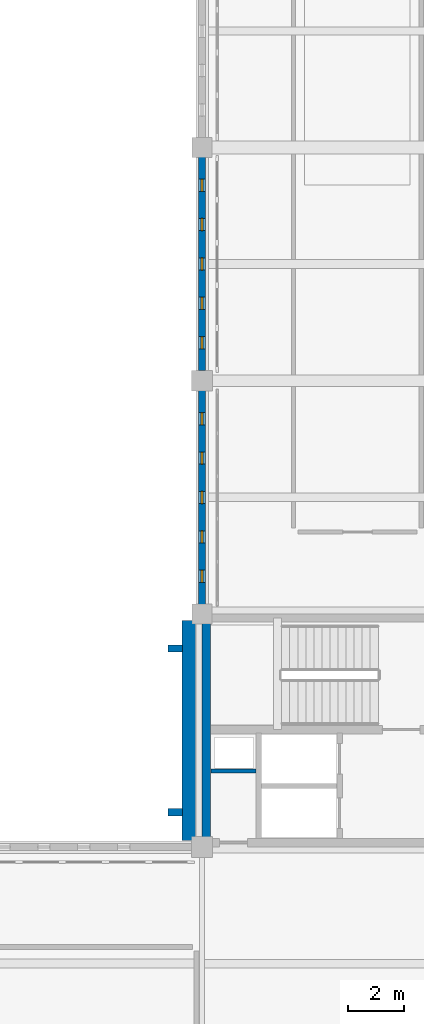
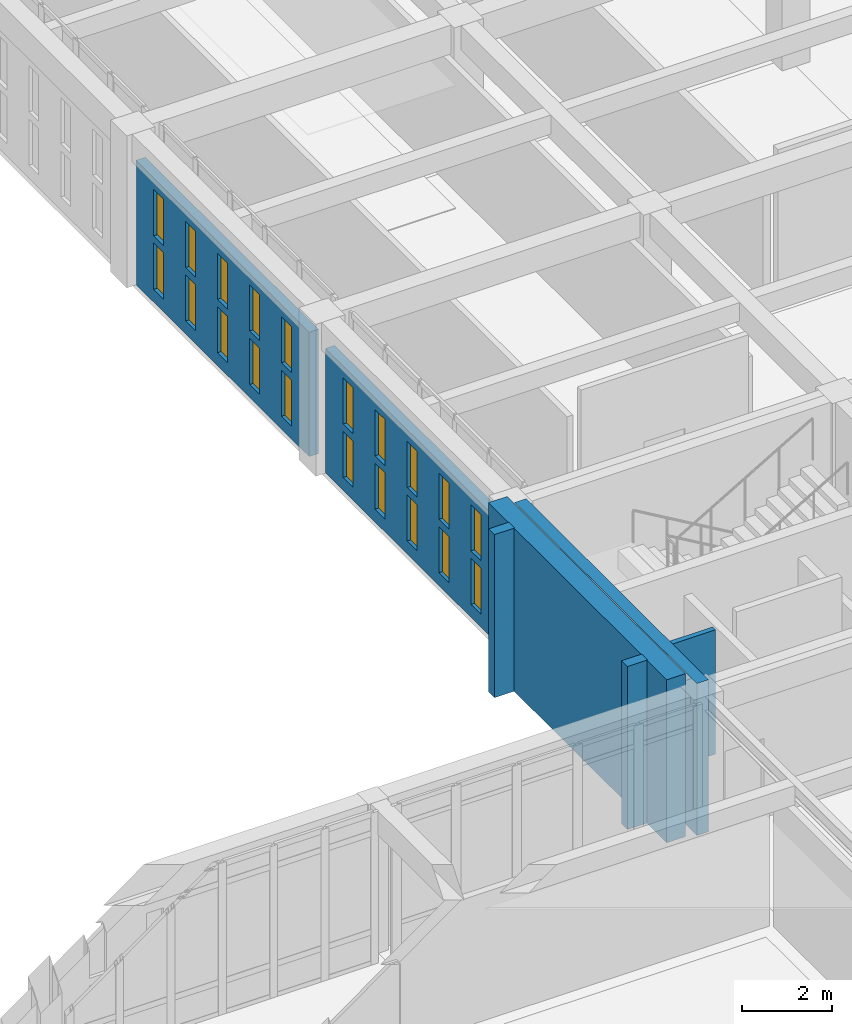
# One storey, part 163 of 192: 20 windows, 7 walls, 20 openings.
"""IFC4 building model written with IfcOpenShell, lengths in metres."""

import ifcopenshell
import ifcopenshell.guid

model = None  # the IFC model being written
_history = None  # IfcOwnerHistory: only IFC2X3 demands one
_inside = {}  # id of a spatial element -> (the spatial element, [elements in it])
_under = {}  # id of a project, library or spatial element -> (it, [spatial elements below it])
_declared = {}  # id of a project -> (the project, [libraries it declares])
_typed = {}  # id of a type object -> (the type object, [elements of that type])
_made_of = {}  # id of a material, layer set ... -> (it, [elements and type objects made of it])


def new_model(schema):
    """Start an empty IFC model of exactly this schema.

    Asked for "IFC4X3", IfcOpenShell would pick the latest addendum, in which some entities
    have other attributes; the version numbers below select the first issue.
    IFC2X3 requires an IfcOwnerHistory on every rooted entity: one is made here for all.
    """
    global model, _history
    if schema == "IFC4X3":
        model = ifcopenshell.file(schema_version=(4, 3, 0, 0))
    else:
        model = ifcopenshell.file(schema=schema)
    _inside.clear()
    _under.clear()
    _declared.clear()
    _typed.clear()
    _made_of.clear()
    _history = None
    if model.schema == "IFC2X3":
        org = make("IfcOrganization", Name="unknown")
        user = make(
            "IfcPersonAndOrganization",
            ThePerson=make("IfcPerson", FamilyName="unknown"),
            TheOrganization=org,
        )
        app = make(
            "IfcApplication",
            ApplicationDeveloper=org,
            Version="unknown",
            ApplicationFullName="unknown",
            ApplicationIdentifier="unknown",
        )
        _history = make(
            "IfcOwnerHistory",
            OwningUser=user,
            OwningApplication=app,
            ChangeAction="ADDED",
            CreationDate=0,
        )
    return model


def make(cls, **values):
    """One entity of the class cls with the attributes given. An attribute that is None is left unset."""
    return model.create_entity(
        cls, **{name: value for name, value in values.items() if value is not None}
    )


def rooted(cls, **values):
    """An entity with a GlobalId (a new one), such as an element, a storey or a relation."""
    return make(cls, GlobalId=ifcopenshell.guid.new(), OwnerHistory=_history, **values)


def si_unit(unit_type, name, prefix=None):
    """IfcSIUnit, for example si_unit("LENGTHUNIT", "METRE", prefix="MILLI")."""
    return make("IfcSIUnit", UnitType=unit_type, Prefix=prefix, Name=name)


def assignment(units):
    """IfcUnitAssignment: the units of a project."""
    return None if units is None else make("IfcUnitAssignment", Units=units)


def point(xyz):
    """IfcCartesianPoint."""
    return None if xyz is None else make("IfcCartesianPoint", Coordinates=xyz)


def direction(xyz):
    """IfcDirection."""
    return None if xyz is None else make("IfcDirection", DirectionRatios=xyz)


def frame(location, z_axis=None, x_axis=None):
    """IfcAxis2Placement3D, a coordinate frame: its origin and axes. An axis left out is left unset."""
    return make(
        "IfcAxis2Placement3D",
        Location=point(location),
        Axis=direction(z_axis),
        RefDirection=direction(x_axis),
    )


def frame_2d(location, x_axis=None):
    """IfcAxis2Placement2D, a coordinate frame in the plane: its origin and x axis."""
    return make(
        "IfcAxis2Placement2D", Location=point(location), RefDirection=direction(x_axis)
    )


def origin():
    """The frame at (0, 0, 0) with its axes left unset."""
    return frame((0.0, 0.0, 0.0))


def place(relative_to, where):
    """IfcLocalPlacement: puts the frame where relative to a parent placement (None: the world)."""
    return make(
        "IfcLocalPlacement", PlacementRelTo=relative_to, RelativePlacement=where
    )


def context(
    kind, dimensions, precision=None, world=None, true_north=None, identifier=None
):
    """IfcGeometricRepresentationContext, for example the 3D "Model" context."""
    return make(
        "IfcGeometricRepresentationContext",
        ContextIdentifier=identifier,
        ContextType=kind,
        CoordinateSpaceDimension=dimensions,
        Precision=precision,
        WorldCoordinateSystem=world,
        TrueNorth=true_north,
    )


def subcontext(parent, identifier, kind, view, scale=None):
    """IfcGeometricRepresentationSubContext, for example "Body" below "Model"."""
    return make(
        "IfcGeometricRepresentationSubContext",
        ContextIdentifier=identifier,
        ContextType=kind,
        ParentContext=parent,
        TargetScale=scale,
        TargetView=view,
    )


def project(units=None, contexts=None):
    """IfcProject with its units and contexts."""
    return rooted(
        "IfcProject",
        Name="project",
        RepresentationContexts=contexts,
        UnitsInContext=assignment(units),
    )


def spatial(cls, under=None, at=None, **own):
    """A site, building, storey or space (cls), placed at a placement, below another one or the project."""
    s = rooted(cls, ObjectPlacement=at, **own)
    if under is not None:
        _under.setdefault(under.id(), (under, []))[1].append(s)
    return s


def profile(cls, at=None, kind="AREA", **sizes):
    """A parametric profile (cls). Its sizes go by their IFC names, for example OverallWidth=200.0."""
    return make(cls, ProfileType=kind, Position=at, **sizes)


def rectangle(**sizes):
    """IfcRectangleProfileDef."""
    return profile("IfcRectangleProfileDef", **sizes)


def extrude(swept, where, along, depth):
    """IfcExtrudedAreaSolid: the profile swept, set in the frame where, extruded along a direction by depth."""
    return make(
        "IfcExtrudedAreaSolid",
        SweptArea=swept,
        Position=where,
        ExtrudedDirection=direction(along),
        Depth=depth,
    )


def shape(context_of_items, identifier, shape_type, items):
    """IfcShapeRepresentation: the items that make up one representation, for example the "Body"."""
    return make(
        "IfcShapeRepresentation",
        ContextOfItems=context_of_items,
        RepresentationIdentifier=identifier,
        RepresentationType=shape_type,
        Items=items,
    )


def material(Name=None, Category=None):
    """IfcMaterial."""
    return make("IfcMaterial", Name=Name, Category=Category)


def layer(
    of_material, thickness, ventilated=None, Name=None, Category=None, Priority=None
):
    """IfcMaterialLayer: one layer of a wall or slab, of a material (None: an air gap)."""
    return make(
        "IfcMaterialLayer",
        Material=of_material,
        LayerThickness=thickness,
        IsVentilated=ventilated,
        Name=Name,
        Category=Category,
        Priority=Priority,
    )


def layer_set(layers, Name=None):
    """IfcMaterialLayerSet."""
    return make("IfcMaterialLayerSet", MaterialLayers=layers, LayerSetName=Name)


def made_of(thing, what):
    """Note that an element or type object is made of a material, layer set ...; save() writes the relation."""
    if what is not None:
        _made_of.setdefault(what.id(), (what, []))[1].append(thing)
    return thing


def type_object(cls, material=None, **own):
    """A type object (cls), such as IfcWallType, which elements share."""
    return made_of(rooted(cls, **own), material)


def element(
    cls,
    number,
    at=None,
    inside=None,
    cuts=None,
    type_object=None,
    material=None,
    context=None,
    identifier="Body",
    shape_type=None,
    held_by="IfcProductDefinitionShape",
    body=None,
    shapes=None,
    **own,
):
    """One element of the class cls, such as IfcWall. Its Tag is "e" and its number.

    at: its placement. inside: the storey or other place that contains it. cuts: it is an
    opening in that element (IfcRelVoidsElement). A single representation is given by context,
    identifier, shape_type and body (its items); several are given by shapes. held_by: the class
    of the entity that holds the representations. save() writes the other relations.
    """
    e = rooted(cls, Tag="e%d" % number, ObjectPlacement=at, **own)
    if body is not None:
        shapes = [shape(context, identifier, shape_type, body)]
    if shapes is not None:
        e.Representation = make(held_by, Representations=shapes)
    if inside is not None:
        _inside.setdefault(inside.id(), (inside, []))[1].append(e)
    if cuts is not None:
        rooted(
            "IfcRelVoidsElement", RelatingBuildingElement=cuts, RelatedOpeningElement=e
        )
    if type_object is not None:
        _typed.setdefault(type_object.id(), (type_object, []))[1].append(e)
    return made_of(e, material)


def fill(opening, filler):
    """IfcRelFillsElement: the door or window that sits in an opening."""
    return rooted(
        "IfcRelFillsElement",
        RelatingOpeningElement=opening,
        RelatedBuildingElement=filler,
    )


def aggregate(whole, parts):
    """IfcRelAggregates: a whole, such as a stair, and the parts it consists of."""
    return rooted("IfcRelAggregates", RelatingObject=whole, RelatedObjects=parts)


def save(model, path):
    """Write the relations noted so far, then the file.

    IfcRelAggregates (storeys below a building ...), IfcRelContainedInSpatialStructure (elements
    in a storey), IfcRelDefinesByType, IfcRelAssociatesMaterial and IfcRelDeclares: one each for
    every whole, place, type object, material and project.
    """
    for whole, parts in _under.values():
        aggregate(whole, parts)
    for where, things in _inside.values():
        rooted(
            "IfcRelContainedInSpatialStructure",
            RelatedElements=things,
            RelatingStructure=where,
        )
    for kind, things in _typed.values():
        rooted("IfcRelDefinesByType", RelatedObjects=things, RelatingType=kind)
    for what, things in _made_of.values():
        rooted("IfcRelAssociatesMaterial", RelatedObjects=things, RelatingMaterial=what)
    for by, libraries in _declared.values():
        rooted("IfcRelDeclares", RelatingContext=by, RelatedDefinitions=libraries)
    model.write(path)


model = new_model("IFC4")

# Units and contexts
model_context = context("Model", 3, precision=1e-05, world=origin(), true_north=direction((0.0, 1.0)))
body_context = subcontext(model_context, "Body", "Model", "MODEL_VIEW")
ifc_project = project(units=[si_unit("LENGTHUNIT", "METRE"), si_unit("AREAUNIT", "SQUARE_METRE"), si_unit("VOLUMEUNIT", "CUBIC_METRE"), si_unit("PLANEANGLEUNIT", "RADIAN"), si_unit("MASSUNIT", "GRAM", prefix="KILO")], contexts=[model_context])

# Site, building, storey
site_placement = place(None, origin())
site = spatial("IfcSite", under=ifc_project, at=site_placement, CompositionType="ELEMENT")
building_placement = place(site_placement, origin())
building = spatial("IfcBuilding", under=site, at=building_placement, Name="Kveldsbrygga Polytechnic", CompositionType="ELEMENT")
storey_placement = place(building_placement, frame((0.0, 0.0, 5.43994140625)))
storey = spatial("IfcBuildingStorey", under=building, at=storey_placement, Name="L01", CompositionType="ELEMENT", Elevation=5.43994140625)

# Walls
ifc_material_1 = material(Name="Fired clay brick masonry M10", Category="masonry")
ifc_layer_1 = layer(ifc_material_1, 0.47998046875)
ifc_layer_set_1 = layer_set([ifc_layer_1], Name="Fired clay brick masonry M10")
wall_type_1 = type_object("IfcWallType", Name="EW-BAST-480", PredefinedType="SOLIDWALL", material=ifc_layer_set_1)
wall_1_placement = place(storey_placement, frame((125.52001953125, 25.43994140625, 0.0), z_axis=(0.0, 0.0, 1.0), x_axis=(0.0, 1.0, 0.0)))
element("IfcWall", 1, at=wall_1_placement, inside=storey, type_object=wall_type_1, Name="Corner Stair Bastion Wall BAST-L01-Y-15-03", PredefinedType="SOLIDWALL", context=body_context, shape_type="SweptSolid", body=[
    extrude(rectangle(XDim=7.920166015625, YDim=0.47998046875, at=frame_2d((3.9599609375, 0.0))), origin(), (0.0, 0.0, 1.0), 4.420166015625),
])
ifc_layer_2 = layer(ifc_material_1, 0.260009765625)
ifc_layer_set_2 = layer_set([ifc_layer_2], Name="Fired clay brick masonry M10")
wall_type_2 = type_object("IfcWallType", Name="EW-BUTT-260", PredefinedType="SOLIDWALL", material=ifc_layer_set_2)
for number, where, z_axis, x_axis, name in (
    (2, (125.300048828125, 26.449951171875, 0.0), (0.0, 0.0, 1.0), (-1.0, 0.0, 0.0), "Gothic Brick Buttress Pier BCLAS-L01-Y-15-03-1"),
    (3, (125.300048828125, 32.35009765625, 0.0), (0.0, 0.0, 1.0), (-1.0, 0.0, 0.0), "Gothic Brick Buttress Pier BCLAS-L01-Y-15-03-2"),
):
    element("IfcWall", number, at=place(storey_placement, frame(where, z_axis=z_axis, x_axis=x_axis)), inside=storey, type_object=wall_type_2, Name=name, PredefinedType="SOLIDWALL", context=body_context, shape_type="SweptSolid", body=[
        extrude(rectangle(XDim=0.52001953125, YDim=0.260009765625, at=frame_2d((0.260009765625, 0.0))), origin(), (0.0, 0.0, 1.0), 4.420166015625),
    ])

# Wall, openings, windows
ifc_layer_3 = layer(ifc_material_1, 0.239990234375)
ifc_layer_set_3 = layer_set([ifc_layer_3], Name="Fired clay brick masonry M10")
wall_type_3 = type_object("IfcWallType", Name="EW-SCRN-240", PredefinedType="SOLIDWALL", material=ifc_layer_set_3)
wall_2_placement = place(storey_placement, frame((126.0, 33.945068359375, 0.0), z_axis=(0.0, 0.0, 1.0), x_axis=(0.0, 1.0, 0.0)))
wall_2 = element("IfcWall", 4, at=wall_2_placement, inside=storey, type_object=wall_type_3, Name="Perforated Brick Corridor Screen Wall SCRW-L01-Y-15-04", PredefinedType="SOLIDWALL", context=body_context, shape_type="SweptSolid", body=[
    extrude(rectangle(XDim=7.69482421875, YDim=0.239990234375, at=frame_2d((3.847412109375, 0.0))), origin(), (0.0, 0.0, 1.0), 3.3701171875),
])
opening_1_placement = place(wall_2_placement, frame((0.78955078125, 0.0, 0.35009765625)))
opening_1 = element("IfcOpeningElement", 5, at=opening_1_placement, cuts=wall_2, Name="Opening W-48", PredefinedType="OPENING", context=body_context, shape_type="SweptSolid", body=[
    extrude(rectangle(XDim=0.43994140625, YDim=1.25, at=frame_2d((0.219970703125, 0.625))), frame((0.0, 0.1298828125, 0.0), z_axis=(0.0, -1.0, 0.0), x_axis=(1.0, 0.0, 0.0)), (0.0, 0.0, 1.0), 0.260009765625),
])
opening_2_placement = place(wall_2_placement, frame((2.20849609375, 0.0, 0.35009765625)))
opening_2 = element("IfcOpeningElement", 6, at=opening_2_placement, cuts=wall_2, Name="Opening W-48", PredefinedType="OPENING", context=body_context, shape_type="SweptSolid", body=[
    extrude(rectangle(XDim=0.43994140625, YDim=1.25, at=frame_2d((0.219970703125, 0.625))), frame((0.0, 0.1298828125, 0.0), z_axis=(0.0, -1.0, 0.0), x_axis=(1.0, 0.0, 0.0)), (0.0, 0.0, 1.0), 0.260009765625),
])
opening_3_placement = place(wall_2_placement, frame((3.62744140625, 0.0, 0.35009765625)))
opening_3 = element("IfcOpeningElement", 7, at=opening_3_placement, cuts=wall_2, Name="Opening W-48", PredefinedType="OPENING", context=body_context, shape_type="SweptSolid", body=[
    extrude(rectangle(XDim=0.43994140625, YDim=1.25, at=frame_2d((0.219970703125, 0.625))), frame((0.0, 0.1298828125, 0.0), z_axis=(0.0, -1.0, 0.0), x_axis=(1.0, 0.0, 0.0)), (0.0, 0.0, 1.0), 0.260009765625),
])
opening_4_placement = place(wall_2_placement, frame((5.04638671875, 0.0, 0.35009765625)))
opening_4 = element("IfcOpeningElement", 8, at=opening_4_placement, cuts=wall_2, Name="Opening W-48", PredefinedType="OPENING", context=body_context, shape_type="SweptSolid", body=[
    extrude(rectangle(XDim=0.43994140625, YDim=1.25, at=frame_2d((0.219970703125, 0.625))), frame((0.0, 0.1298828125, 0.0), z_axis=(0.0, -1.0, 0.0), x_axis=(1.0, 0.0, 0.0)), (0.0, 0.0, 1.0), 0.260009765625),
])
opening_5_placement = place(wall_2_placement, frame((6.465576171875, 0.0, 0.35009765625)))
opening_5 = element("IfcOpeningElement", 9, at=opening_5_placement, cuts=wall_2, Name="Opening W-48", PredefinedType="OPENING", context=body_context, shape_type="SweptSolid", body=[
    extrude(rectangle(XDim=0.43994140625, YDim=1.25, at=frame_2d((0.219970703125, 0.625))), frame((0.0, 0.1298828125, 0.0), z_axis=(0.0, -1.0, 0.0), x_axis=(1.0, 0.0, 0.0)), (0.0, 0.0, 1.0), 0.260009765625),
])
opening_6_placement = place(wall_2_placement, frame((0.78955078125, 0.0, 1.800048828125)))
opening_6 = element("IfcOpeningElement", 10, at=opening_6_placement, cuts=wall_2, Name="Opening W-48", PredefinedType="OPENING", context=body_context, shape_type="SweptSolid", body=[
    extrude(rectangle(XDim=0.43994140625, YDim=1.25, at=frame_2d((0.219970703125, 0.625))), frame((0.0, 0.1298828125, 0.0), z_axis=(0.0, -1.0, 0.0), x_axis=(1.0, 0.0, 0.0)), (0.0, 0.0, 1.0), 0.260009765625),
])
opening_7_placement = place(wall_2_placement, frame((2.20849609375, 0.0, 1.800048828125)))
opening_7 = element("IfcOpeningElement", 11, at=opening_7_placement, cuts=wall_2, Name="Opening W-48", PredefinedType="OPENING", context=body_context, shape_type="SweptSolid", body=[
    extrude(rectangle(XDim=0.43994140625, YDim=1.25, at=frame_2d((0.219970703125, 0.625))), frame((0.0, 0.1298828125, 0.0), z_axis=(0.0, -1.0, 0.0), x_axis=(1.0, 0.0, 0.0)), (0.0, 0.0, 1.0), 0.260009765625),
])
opening_8_placement = place(wall_2_placement, frame((3.62744140625, 0.0, 1.800048828125)))
opening_8 = element("IfcOpeningElement", 12, at=opening_8_placement, cuts=wall_2, Name="Opening W-48", PredefinedType="OPENING", context=body_context, shape_type="SweptSolid", body=[
    extrude(rectangle(XDim=0.43994140625, YDim=1.25, at=frame_2d((0.219970703125, 0.625))), frame((0.0, 0.1298828125, 0.0), z_axis=(0.0, -1.0, 0.0), x_axis=(1.0, 0.0, 0.0)), (0.0, 0.0, 1.0), 0.260009765625),
])
opening_9_placement = place(wall_2_placement, frame((5.04638671875, 0.0, 1.800048828125)))
opening_9 = element("IfcOpeningElement", 13, at=opening_9_placement, cuts=wall_2, Name="Opening W-48", PredefinedType="OPENING", context=body_context, shape_type="SweptSolid", body=[
    extrude(rectangle(XDim=0.43994140625, YDim=1.25, at=frame_2d((0.219970703125, 0.625))), frame((0.0, 0.1298828125, 0.0), z_axis=(0.0, -1.0, 0.0), x_axis=(1.0, 0.0, 0.0)), (0.0, 0.0, 1.0), 0.260009765625),
])
opening_10_placement = place(wall_2_placement, frame((6.465576171875, 0.0, 1.800048828125)))
opening_10 = element("IfcOpeningElement", 14, at=opening_10_placement, cuts=wall_2, Name="Opening W-48", PredefinedType="OPENING", context=body_context, shape_type="SweptSolid", body=[
    extrude(rectangle(XDim=0.43994140625, YDim=1.25, at=frame_2d((0.219970703125, 0.625))), frame((0.0, 0.1298828125, 0.0), z_axis=(0.0, -1.0, 0.0), x_axis=(1.0, 0.0, 0.0)), (0.0, 0.0, 1.0), 0.260009765625),
])
ifc_material_2 = material(Name="Insulated triple low-E glass", Category="glass")
window_type = type_object("IfcWindowType", Name="WN-SCRN-044x125", PartitioningType="SINGLE_PANEL", PredefinedType="WINDOW", material=ifc_material_2)
window_1_placement = place(opening_1_placement, origin())
window_1 = element("IfcWindow", 15, at=window_1_placement, inside=storey, type_object=window_type, Name="Perforated Screen Aperture L01-Y-15-04-1", OverallHeight=1.25, OverallWidth=0.43994140625, PartitioningType="SINGLE_PANEL", PredefinedType="WINDOW", context=body_context, shape_type="SweptSolid", body=[
    extrude(rectangle(XDim=0.43994140625, YDim=1.25, at=frame_2d((0.219970703125, 0.625))), frame((0.0, 0.030029296875, 0.0), z_axis=(0.0, -1.0, 0.0), x_axis=(1.0, 0.0, 0.0)), (0.0, 0.0, 1.0), 0.06005859375),
])
fill(opening_1, window_1)
window_2_placement = place(opening_2_placement, origin())
window_2 = element("IfcWindow", 16, at=window_2_placement, inside=storey, type_object=window_type, Name="Perforated Screen Aperture L01-Y-15-04-2", OverallHeight=1.25, OverallWidth=0.43994140625, PartitioningType="SINGLE_PANEL", PredefinedType="WINDOW", context=body_context, shape_type="SweptSolid", body=[
    extrude(rectangle(XDim=0.43994140625, YDim=1.25, at=frame_2d((0.219970703125, 0.625))), frame((0.0, 0.030029296875, 0.0), z_axis=(0.0, -1.0, 0.0), x_axis=(1.0, 0.0, 0.0)), (0.0, 0.0, 1.0), 0.06005859375),
])
fill(opening_2, window_2)
window_3_placement = place(opening_3_placement, origin())
window_3 = element("IfcWindow", 17, at=window_3_placement, inside=storey, type_object=window_type, Name="Perforated Screen Aperture L01-Y-15-04-3", OverallHeight=1.25, OverallWidth=0.43994140625, PartitioningType="SINGLE_PANEL", PredefinedType="WINDOW", context=body_context, shape_type="SweptSolid", body=[
    extrude(rectangle(XDim=0.43994140625, YDim=1.25, at=frame_2d((0.219970703125, 0.625))), frame((0.0, 0.030029296875, 0.0), z_axis=(0.0, -1.0, 0.0), x_axis=(1.0, 0.0, 0.0)), (0.0, 0.0, 1.0), 0.06005859375),
])
fill(opening_3, window_3)
window_4_placement = place(opening_4_placement, origin())
window_4 = element("IfcWindow", 18, at=window_4_placement, inside=storey, type_object=window_type, Name="Perforated Screen Aperture L01-Y-15-04-4", OverallHeight=1.25, OverallWidth=0.43994140625, PartitioningType="SINGLE_PANEL", PredefinedType="WINDOW", context=body_context, shape_type="SweptSolid", body=[
    extrude(rectangle(XDim=0.43994140625, YDim=1.25, at=frame_2d((0.219970703125, 0.625))), frame((0.0, 0.030029296875, 0.0), z_axis=(0.0, -1.0, 0.0), x_axis=(1.0, 0.0, 0.0)), (0.0, 0.0, 1.0), 0.06005859375),
])
fill(opening_4, window_4)
window_5_placement = place(opening_5_placement, origin())
window_5 = element("IfcWindow", 19, at=window_5_placement, inside=storey, type_object=window_type, Name="Perforated Screen Aperture L01-Y-15-04-5", OverallHeight=1.25, OverallWidth=0.43994140625, PartitioningType="SINGLE_PANEL", PredefinedType="WINDOW", context=body_context, shape_type="SweptSolid", body=[
    extrude(rectangle(XDim=0.43994140625, YDim=1.25, at=frame_2d((0.219970703125, 0.625))), frame((0.0, 0.030029296875, 0.0), z_axis=(0.0, -1.0, 0.0), x_axis=(1.0, 0.0, 0.0)), (0.0, 0.0, 1.0), 0.06005859375),
])
fill(opening_5, window_5)
window_6_placement = place(opening_6_placement, origin())
window_6 = element("IfcWindow", 20, at=window_6_placement, inside=storey, type_object=window_type, Name="Perforated Screen Aperture L01-Y-15-04-6", OverallHeight=1.25, OverallWidth=0.43994140625, PartitioningType="SINGLE_PANEL", PredefinedType="WINDOW", context=body_context, shape_type="SweptSolid", body=[
    extrude(rectangle(XDim=0.43994140625, YDim=1.25, at=frame_2d((0.219970703125, 0.625))), frame((0.0, 0.030029296875, 0.0), z_axis=(0.0, -1.0, 0.0), x_axis=(1.0, 0.0, 0.0)), (0.0, 0.0, 1.0), 0.06005859375),
])
fill(opening_6, window_6)
window_7_placement = place(opening_7_placement, origin())
window_7 = element("IfcWindow", 21, at=window_7_placement, inside=storey, type_object=window_type, Name="Perforated Screen Aperture L01-Y-15-04-7", OverallHeight=1.25, OverallWidth=0.43994140625, PartitioningType="SINGLE_PANEL", PredefinedType="WINDOW", context=body_context, shape_type="SweptSolid", body=[
    extrude(rectangle(XDim=0.43994140625, YDim=1.25, at=frame_2d((0.219970703125, 0.625))), frame((0.0, 0.030029296875, 0.0), z_axis=(0.0, -1.0, 0.0), x_axis=(1.0, 0.0, 0.0)), (0.0, 0.0, 1.0), 0.06005859375),
])
fill(opening_7, window_7)
window_8_placement = place(opening_8_placement, origin())
window_8 = element("IfcWindow", 22, at=window_8_placement, inside=storey, type_object=window_type, Name="Perforated Screen Aperture L01-Y-15-04-8", OverallHeight=1.25, OverallWidth=0.43994140625, PartitioningType="SINGLE_PANEL", PredefinedType="WINDOW", context=body_context, shape_type="SweptSolid", body=[
    extrude(rectangle(XDim=0.43994140625, YDim=1.25, at=frame_2d((0.219970703125, 0.625))), frame((0.0, 0.030029296875, 0.0), z_axis=(0.0, -1.0, 0.0), x_axis=(1.0, 0.0, 0.0)), (0.0, 0.0, 1.0), 0.06005859375),
])
fill(opening_8, window_8)
window_9_placement = place(opening_9_placement, origin())
window_9 = element("IfcWindow", 23, at=window_9_placement, inside=storey, type_object=window_type, Name="Perforated Screen Aperture L01-Y-15-04-9", OverallHeight=1.25, OverallWidth=0.43994140625, PartitioningType="SINGLE_PANEL", PredefinedType="WINDOW", context=body_context, shape_type="SweptSolid", body=[
    extrude(rectangle(XDim=0.43994140625, YDim=1.25, at=frame_2d((0.219970703125, 0.625))), frame((0.0, 0.030029296875, 0.0), z_axis=(0.0, -1.0, 0.0), x_axis=(1.0, 0.0, 0.0)), (0.0, 0.0, 1.0), 0.06005859375),
])
fill(opening_9, window_9)
window_10_placement = place(opening_10_placement, origin())
window_10 = element("IfcWindow", 24, at=window_10_placement, inside=storey, type_object=window_type, Name="Perforated Screen Aperture L01-Y-15-04-10", OverallHeight=1.25, OverallWidth=0.43994140625, PartitioningType="SINGLE_PANEL", PredefinedType="WINDOW", context=body_context, shape_type="SweptSolid", body=[
    extrude(rectangle(XDim=0.43994140625, YDim=1.25, at=frame_2d((0.219970703125, 0.625))), frame((0.0, 0.030029296875, 0.0), z_axis=(0.0, -1.0, 0.0), x_axis=(1.0, 0.0, 0.0)), (0.0, 0.0, 1.0), 0.06005859375),
])
fill(opening_10, window_10)

wall_3_placement = place(storey_placement, frame((126.0, 42.360107421875, 0.0), z_axis=(0.0, 0.0, 1.0), x_axis=(0.0, 1.0, 0.0)))
wall_3 = element("IfcWall", 25, at=wall_3_placement, inside=storey, type_object=wall_type_3, Name="Perforated Brick Corridor Screen Wall SCRW-L01-Y-15-05", PredefinedType="SOLIDWALL", context=body_context, shape_type="SweptSolid", body=[
    extrude(rectangle(XDim=7.69482421875, YDim=0.239990234375, at=frame_2d((3.847412109375, 0.0))), origin(), (0.0, 0.0, 1.0), 3.3701171875),
])
opening_11_placement = place(wall_3_placement, frame((0.78955078125, 0.0, 0.35009765625)))
opening_11 = element("IfcOpeningElement", 26, at=opening_11_placement, cuts=wall_3, Name="Opening W-48", PredefinedType="OPENING", context=body_context, shape_type="SweptSolid", body=[
    extrude(rectangle(XDim=0.43994140625, YDim=1.25, at=frame_2d((0.219970703125, 0.625))), frame((0.0, 0.1298828125, 0.0), z_axis=(0.0, -1.0, 0.0), x_axis=(1.0, 0.0, 0.0)), (0.0, 0.0, 1.0), 0.260009765625),
])
opening_12_placement = place(wall_3_placement, frame((2.20849609375, 0.0, 0.35009765625)))
opening_12 = element("IfcOpeningElement", 27, at=opening_12_placement, cuts=wall_3, Name="Opening W-48", PredefinedType="OPENING", context=body_context, shape_type="SweptSolid", body=[
    extrude(rectangle(XDim=0.43994140625, YDim=1.25, at=frame_2d((0.219970703125, 0.625))), frame((0.0, 0.1298828125, 0.0), z_axis=(0.0, -1.0, 0.0), x_axis=(1.0, 0.0, 0.0)), (0.0, 0.0, 1.0), 0.260009765625),
])
opening_13_placement = place(wall_3_placement, frame((3.62744140625, 0.0, 0.35009765625)))
opening_13 = element("IfcOpeningElement", 28, at=opening_13_placement, cuts=wall_3, Name="Opening W-48", PredefinedType="OPENING", context=body_context, shape_type="SweptSolid", body=[
    extrude(rectangle(XDim=0.43994140625, YDim=1.25, at=frame_2d((0.219970703125, 0.625))), frame((0.0, 0.1298828125, 0.0), z_axis=(0.0, -1.0, 0.0), x_axis=(1.0, 0.0, 0.0)), (0.0, 0.0, 1.0), 0.260009765625),
])
opening_14_placement = place(wall_3_placement, frame((5.04638671875, 0.0, 0.35009765625)))
opening_14 = element("IfcOpeningElement", 29, at=opening_14_placement, cuts=wall_3, Name="Opening W-48", PredefinedType="OPENING", context=body_context, shape_type="SweptSolid", body=[
    extrude(rectangle(XDim=0.43994140625, YDim=1.25, at=frame_2d((0.219970703125, 0.625))), frame((0.0, 0.1298828125, 0.0), z_axis=(0.0, -1.0, 0.0), x_axis=(1.0, 0.0, 0.0)), (0.0, 0.0, 1.0), 0.260009765625),
])
opening_15_placement = place(wall_3_placement, frame((6.465576171875, 0.0, 0.35009765625)))
opening_15 = element("IfcOpeningElement", 30, at=opening_15_placement, cuts=wall_3, Name="Opening W-48", PredefinedType="OPENING", context=body_context, shape_type="SweptSolid", body=[
    extrude(rectangle(XDim=0.43994140625, YDim=1.25, at=frame_2d((0.219970703125, 0.625))), frame((0.0, 0.1298828125, 0.0), z_axis=(0.0, -1.0, 0.0), x_axis=(1.0, 0.0, 0.0)), (0.0, 0.0, 1.0), 0.260009765625),
])
opening_16_placement = place(wall_3_placement, frame((0.78955078125, 0.0, 1.800048828125)))
opening_16 = element("IfcOpeningElement", 31, at=opening_16_placement, cuts=wall_3, Name="Opening W-48", PredefinedType="OPENING", context=body_context, shape_type="SweptSolid", body=[
    extrude(rectangle(XDim=0.43994140625, YDim=1.25, at=frame_2d((0.219970703125, 0.625))), frame((0.0, 0.1298828125, 0.0), z_axis=(0.0, -1.0, 0.0), x_axis=(1.0, 0.0, 0.0)), (0.0, 0.0, 1.0), 0.260009765625),
])
opening_17_placement = place(wall_3_placement, frame((2.20849609375, 0.0, 1.800048828125)))
opening_17 = element("IfcOpeningElement", 32, at=opening_17_placement, cuts=wall_3, Name="Opening W-48", PredefinedType="OPENING", context=body_context, shape_type="SweptSolid", body=[
    extrude(rectangle(XDim=0.43994140625, YDim=1.25, at=frame_2d((0.219970703125, 0.625))), frame((0.0, 0.1298828125, 0.0), z_axis=(0.0, -1.0, 0.0), x_axis=(1.0, 0.0, 0.0)), (0.0, 0.0, 1.0), 0.260009765625),
])
opening_18_placement = place(wall_3_placement, frame((3.62744140625, 0.0, 1.800048828125)))
opening_18 = element("IfcOpeningElement", 33, at=opening_18_placement, cuts=wall_3, Name="Opening W-48", PredefinedType="OPENING", context=body_context, shape_type="SweptSolid", body=[
    extrude(rectangle(XDim=0.43994140625, YDim=1.25, at=frame_2d((0.219970703125, 0.625))), frame((0.0, 0.1298828125, 0.0), z_axis=(0.0, -1.0, 0.0), x_axis=(1.0, 0.0, 0.0)), (0.0, 0.0, 1.0), 0.260009765625),
])
opening_19_placement = place(wall_3_placement, frame((5.04638671875, 0.0, 1.800048828125)))
opening_19 = element("IfcOpeningElement", 34, at=opening_19_placement, cuts=wall_3, Name="Opening W-48", PredefinedType="OPENING", context=body_context, shape_type="SweptSolid", body=[
    extrude(rectangle(XDim=0.43994140625, YDim=1.25, at=frame_2d((0.219970703125, 0.625))), frame((0.0, 0.1298828125, 0.0), z_axis=(0.0, -1.0, 0.0), x_axis=(1.0, 0.0, 0.0)), (0.0, 0.0, 1.0), 0.260009765625),
])
opening_20_placement = place(wall_3_placement, frame((6.465576171875, 0.0, 1.800048828125)))
opening_20 = element("IfcOpeningElement", 35, at=opening_20_placement, cuts=wall_3, Name="Opening W-48", PredefinedType="OPENING", context=body_context, shape_type="SweptSolid", body=[
    extrude(rectangle(XDim=0.43994140625, YDim=1.25, at=frame_2d((0.219970703125, 0.625))), frame((0.0, 0.1298828125, 0.0), z_axis=(0.0, -1.0, 0.0), x_axis=(1.0, 0.0, 0.0)), (0.0, 0.0, 1.0), 0.260009765625),
])
window_11_placement = place(opening_11_placement, origin())
window_11 = element("IfcWindow", 36, at=window_11_placement, inside=storey, type_object=window_type, Name="Perforated Screen Aperture L01-Y-15-05-1", OverallHeight=1.25, OverallWidth=0.43994140625, PartitioningType="SINGLE_PANEL", PredefinedType="WINDOW", context=body_context, shape_type="SweptSolid", body=[
    extrude(rectangle(XDim=0.43994140625, YDim=1.25, at=frame_2d((0.219970703125, 0.625))), frame((0.0, 0.030029296875, 0.0), z_axis=(0.0, -1.0, 0.0), x_axis=(1.0, 0.0, 0.0)), (0.0, 0.0, 1.0), 0.06005859375),
])
fill(opening_11, window_11)
window_12_placement = place(opening_12_placement, origin())
window_12 = element("IfcWindow", 37, at=window_12_placement, inside=storey, type_object=window_type, Name="Perforated Screen Aperture L01-Y-15-05-2", OverallHeight=1.25, OverallWidth=0.43994140625, PartitioningType="SINGLE_PANEL", PredefinedType="WINDOW", context=body_context, shape_type="SweptSolid", body=[
    extrude(rectangle(XDim=0.43994140625, YDim=1.25, at=frame_2d((0.219970703125, 0.625))), frame((0.0, 0.030029296875, 0.0), z_axis=(0.0, -1.0, 0.0), x_axis=(1.0, 0.0, 0.0)), (0.0, 0.0, 1.0), 0.06005859375),
])
fill(opening_12, window_12)
window_13_placement = place(opening_13_placement, origin())
window_13 = element("IfcWindow", 38, at=window_13_placement, inside=storey, type_object=window_type, Name="Perforated Screen Aperture L01-Y-15-05-3", OverallHeight=1.25, OverallWidth=0.43994140625, PartitioningType="SINGLE_PANEL", PredefinedType="WINDOW", context=body_context, shape_type="SweptSolid", body=[
    extrude(rectangle(XDim=0.43994140625, YDim=1.25, at=frame_2d((0.219970703125, 0.625))), frame((0.0, 0.030029296875, 0.0), z_axis=(0.0, -1.0, 0.0), x_axis=(1.0, 0.0, 0.0)), (0.0, 0.0, 1.0), 0.06005859375),
])
fill(opening_13, window_13)
window_14_placement = place(opening_14_placement, origin())
window_14 = element("IfcWindow", 39, at=window_14_placement, inside=storey, type_object=window_type, Name="Perforated Screen Aperture L01-Y-15-05-4", OverallHeight=1.25, OverallWidth=0.43994140625, PartitioningType="SINGLE_PANEL", PredefinedType="WINDOW", context=body_context, shape_type="SweptSolid", body=[
    extrude(rectangle(XDim=0.43994140625, YDim=1.25, at=frame_2d((0.219970703125, 0.625))), frame((0.0, 0.030029296875, 0.0), z_axis=(0.0, -1.0, 0.0), x_axis=(1.0, 0.0, 0.0)), (0.0, 0.0, 1.0), 0.06005859375),
])
fill(opening_14, window_14)
window_15_placement = place(opening_15_placement, origin())
window_15 = element("IfcWindow", 40, at=window_15_placement, inside=storey, type_object=window_type, Name="Perforated Screen Aperture L01-Y-15-05-5", OverallHeight=1.25, OverallWidth=0.43994140625, PartitioningType="SINGLE_PANEL", PredefinedType="WINDOW", context=body_context, shape_type="SweptSolid", body=[
    extrude(rectangle(XDim=0.43994140625, YDim=1.25, at=frame_2d((0.219970703125, 0.625))), frame((0.0, 0.030029296875, 0.0), z_axis=(0.0, -1.0, 0.0), x_axis=(1.0, 0.0, 0.0)), (0.0, 0.0, 1.0), 0.06005859375),
])
fill(opening_15, window_15)
window_16_placement = place(opening_16_placement, origin())
window_16 = element("IfcWindow", 41, at=window_16_placement, inside=storey, type_object=window_type, Name="Perforated Screen Aperture L01-Y-15-05-6", OverallHeight=1.25, OverallWidth=0.43994140625, PartitioningType="SINGLE_PANEL", PredefinedType="WINDOW", context=body_context, shape_type="SweptSolid", body=[
    extrude(rectangle(XDim=0.43994140625, YDim=1.25, at=frame_2d((0.219970703125, 0.625))), frame((0.0, 0.030029296875, 0.0), z_axis=(0.0, -1.0, 0.0), x_axis=(1.0, 0.0, 0.0)), (0.0, 0.0, 1.0), 0.06005859375),
])
fill(opening_16, window_16)
window_17_placement = place(opening_17_placement, origin())
window_17 = element("IfcWindow", 42, at=window_17_placement, inside=storey, type_object=window_type, Name="Perforated Screen Aperture L01-Y-15-05-7", OverallHeight=1.25, OverallWidth=0.43994140625, PartitioningType="SINGLE_PANEL", PredefinedType="WINDOW", context=body_context, shape_type="SweptSolid", body=[
    extrude(rectangle(XDim=0.43994140625, YDim=1.25, at=frame_2d((0.219970703125, 0.625))), frame((0.0, 0.030029296875, 0.0), z_axis=(0.0, -1.0, 0.0), x_axis=(1.0, 0.0, 0.0)), (0.0, 0.0, 1.0), 0.06005859375),
])
fill(opening_17, window_17)
window_18_placement = place(opening_18_placement, origin())
window_18 = element("IfcWindow", 43, at=window_18_placement, inside=storey, type_object=window_type, Name="Perforated Screen Aperture L01-Y-15-05-8", OverallHeight=1.25, OverallWidth=0.43994140625, PartitioningType="SINGLE_PANEL", PredefinedType="WINDOW", context=body_context, shape_type="SweptSolid", body=[
    extrude(rectangle(XDim=0.43994140625, YDim=1.25, at=frame_2d((0.219970703125, 0.625))), frame((0.0, 0.030029296875, 0.0), z_axis=(0.0, -1.0, 0.0), x_axis=(1.0, 0.0, 0.0)), (0.0, 0.0, 1.0), 0.06005859375),
])
fill(opening_18, window_18)
window_19_placement = place(opening_19_placement, origin())
window_19 = element("IfcWindow", 44, at=window_19_placement, inside=storey, type_object=window_type, Name="Perforated Screen Aperture L01-Y-15-05-9", OverallHeight=1.25, OverallWidth=0.43994140625, PartitioningType="SINGLE_PANEL", PredefinedType="WINDOW", context=body_context, shape_type="SweptSolid", body=[
    extrude(rectangle(XDim=0.43994140625, YDim=1.25, at=frame_2d((0.219970703125, 0.625))), frame((0.0, 0.030029296875, 0.0), z_axis=(0.0, -1.0, 0.0), x_axis=(1.0, 0.0, 0.0)), (0.0, 0.0, 1.0), 0.06005859375),
])
fill(opening_19, window_19)
window_20_placement = place(opening_20_placement, origin())
window_20 = element("IfcWindow", 45, at=window_20_placement, inside=storey, type_object=window_type, Name="Perforated Screen Aperture L01-Y-15-05-10", OverallHeight=1.25, OverallWidth=0.43994140625, PartitioningType="SINGLE_PANEL", PredefinedType="WINDOW", context=body_context, shape_type="SweptSolid", body=[
    extrude(rectangle(XDim=0.43994140625, YDim=1.25, at=frame_2d((0.219970703125, 0.625))), frame((0.0, 0.030029296875, 0.0), z_axis=(0.0, -1.0, 0.0), x_axis=(1.0, 0.0, 0.0)), (0.0, 0.0, 1.0), 0.06005859375),
])
fill(opening_20, window_20)

# Walls
ifc_material_3 = material(Name="Moisture-resistant masonry M10", Category="masonry")
ifc_layer_4 = layer(ifc_material_3, 0.1298828125)
ifc_layer_set_4 = layer_set([ifc_layer_4], Name="Moisture-resistant masonry M10")
wall_type_4 = type_object("IfcWallType", Name="IW-SAN-130", PredefinedType="PARTITIONING", material=ifc_layer_set_4)
wall_4_placement = place(storey_placement, frame((126.320068359375, 27.93994140625, 0.0), z_axis=(0.0, 0.0, 1.0), x_axis=(1.0, 0.0, 0.0)))
element("IfcWall", 46, at=wall_4_placement, inside=storey, type_object=wall_type_4, Name="Core AWC Divider C1-L01-W-RSR", PredefinedType="PARTITIONING", context=body_context, shape_type="SweptSolid", body=[
    extrude(rectangle(XDim=1.619873046875, YDim=0.1298828125, at=frame_2d((0.81005859375, 0.0))), origin(), (0.0, 0.0, 1.0), 3.3701171875),
])
ifc_material_4 = material(Name="Concrete C45/55", Category="concrete")
ifc_layer_5 = layer(ifc_material_4, 0.300048828125)
ifc_layer_set_5 = layer_set([ifc_layer_5], Name="Concrete C45/55")
wall_type_5 = type_object("IfcWallType", Name="WL-CORE-300", PredefinedType="SHEAR", material=ifc_layer_set_5)
wall_5_placement = place(storey_placement, frame((126.14990234375, 25.35009765625, 0.0), z_axis=(0.0, 0.0, 1.0), x_axis=(0.0, 1.0, 0.0)))
element("IfcWall", 47, at=wall_5_placement, inside=storey, type_object=wall_type_5, Name="Core C1 Shear Wall C1-L01-SW-W", PredefinedType="SHEAR", context=body_context, shape_type="SweptSolid", body=[
    extrude(rectangle(XDim=8.099853515625, YDim=0.300048828125, at=frame_2d((4.0498046875, 0.0))), origin(), (0.0, 0.0, 1.0), 4.1201171875),
])

save(model, "model.ifc")
